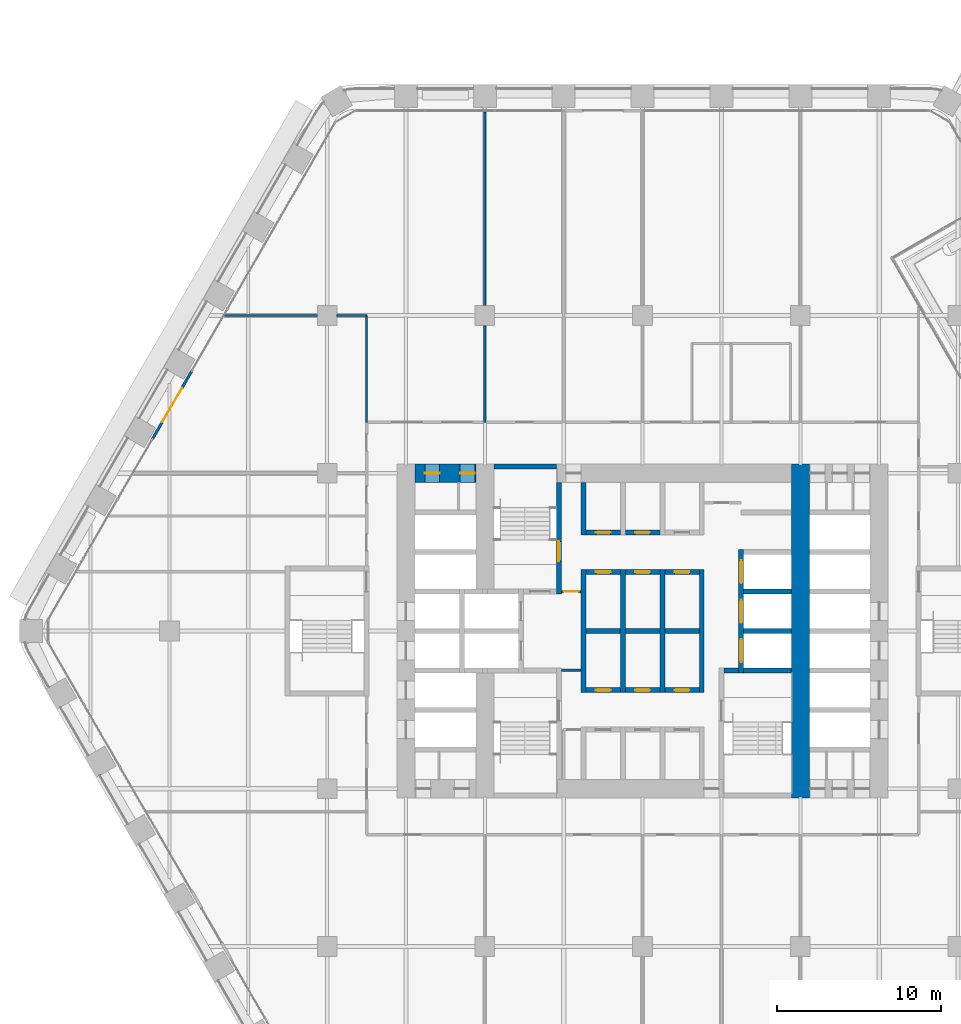
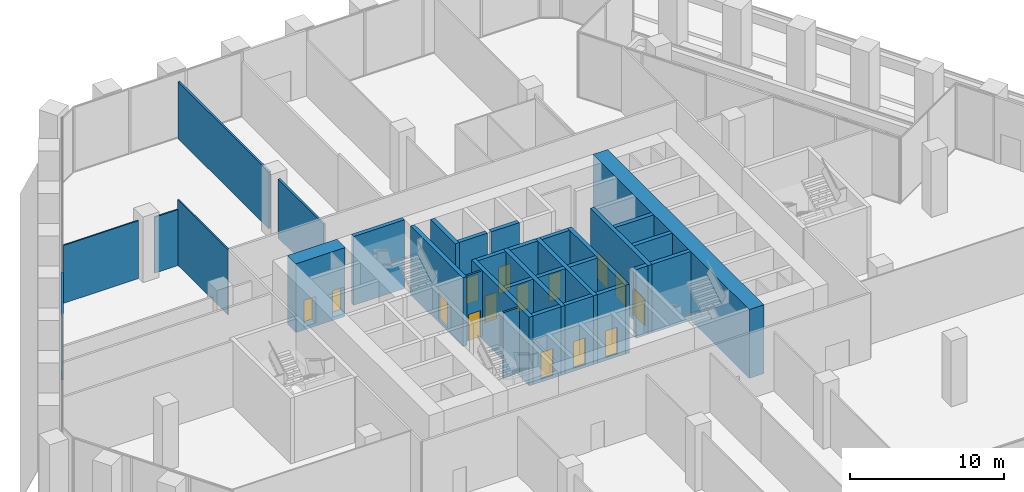
# One storey, part 22 of 32: 33 walls, 16 doors, 16 openings.
"""IFC4 building model written with IfcOpenShell, lengths in metres."""

import ifcopenshell
import ifcopenshell.guid

model = None  # the IFC model being written
_history = None  # IfcOwnerHistory: only IFC2X3 demands one
_inside = {}  # id of a spatial element -> (the spatial element, [elements in it])
_under = {}  # id of a project, library or spatial element -> (it, [spatial elements below it])
_declared = {}  # id of a project -> (the project, [libraries it declares])
_typed = {}  # id of a type object -> (the type object, [elements of that type])
_made_of = {}  # id of a material, layer set ... -> (it, [elements and type objects made of it])


def new_model(schema):
    """Start an empty IFC model of exactly this schema.

    Asked for "IFC4X3", IfcOpenShell would pick the latest addendum, in which some entities
    have other attributes; the version numbers below select the first issue.
    IFC2X3 requires an IfcOwnerHistory on every rooted entity: one is made here for all.
    """
    global model, _history
    if schema == "IFC4X3":
        model = ifcopenshell.file(schema_version=(4, 3, 0, 0))
    else:
        model = ifcopenshell.file(schema=schema)
    _inside.clear()
    _under.clear()
    _declared.clear()
    _typed.clear()
    _made_of.clear()
    _history = None
    if model.schema == "IFC2X3":
        org = make("IfcOrganization", Name="unknown")
        user = make(
            "IfcPersonAndOrganization",
            ThePerson=make("IfcPerson", FamilyName="unknown"),
            TheOrganization=org,
        )
        app = make(
            "IfcApplication",
            ApplicationDeveloper=org,
            Version="unknown",
            ApplicationFullName="unknown",
            ApplicationIdentifier="unknown",
        )
        _history = make(
            "IfcOwnerHistory",
            OwningUser=user,
            OwningApplication=app,
            ChangeAction="ADDED",
            CreationDate=0,
        )
    return model


def make(cls, **values):
    """One entity of the class cls with the attributes given. An attribute that is None is left unset."""
    return model.create_entity(
        cls, **{name: value for name, value in values.items() if value is not None}
    )


def rooted(cls, **values):
    """An entity with a GlobalId (a new one), such as an element, a storey or a relation."""
    return make(cls, GlobalId=ifcopenshell.guid.new(), OwnerHistory=_history, **values)


def si_unit(unit_type, name, prefix=None):
    """IfcSIUnit, for example si_unit("LENGTHUNIT", "METRE", prefix="MILLI")."""
    return make("IfcSIUnit", UnitType=unit_type, Prefix=prefix, Name=name)


def assignment(units):
    """IfcUnitAssignment: the units of a project."""
    return None if units is None else make("IfcUnitAssignment", Units=units)


def point(xyz):
    """IfcCartesianPoint."""
    return None if xyz is None else make("IfcCartesianPoint", Coordinates=xyz)


def direction(xyz):
    """IfcDirection."""
    return None if xyz is None else make("IfcDirection", DirectionRatios=xyz)


def frame(location, z_axis=None, x_axis=None):
    """IfcAxis2Placement3D, a coordinate frame: its origin and axes. An axis left out is left unset."""
    return make(
        "IfcAxis2Placement3D",
        Location=point(location),
        Axis=direction(z_axis),
        RefDirection=direction(x_axis),
    )


def frame_2d(location, x_axis=None):
    """IfcAxis2Placement2D, a coordinate frame in the plane: its origin and x axis."""
    return make(
        "IfcAxis2Placement2D", Location=point(location), RefDirection=direction(x_axis)
    )


def origin():
    """The frame at (0, 0, 0) with its axes left unset."""
    return frame((0.0, 0.0, 0.0))


def place(relative_to, where):
    """IfcLocalPlacement: puts the frame where relative to a parent placement (None: the world)."""
    return make(
        "IfcLocalPlacement", PlacementRelTo=relative_to, RelativePlacement=where
    )


def context(
    kind, dimensions, precision=None, world=None, true_north=None, identifier=None
):
    """IfcGeometricRepresentationContext, for example the 3D "Model" context."""
    return make(
        "IfcGeometricRepresentationContext",
        ContextIdentifier=identifier,
        ContextType=kind,
        CoordinateSpaceDimension=dimensions,
        Precision=precision,
        WorldCoordinateSystem=world,
        TrueNorth=true_north,
    )


def subcontext(parent, identifier, kind, view, scale=None):
    """IfcGeometricRepresentationSubContext, for example "Body" below "Model"."""
    return make(
        "IfcGeometricRepresentationSubContext",
        ContextIdentifier=identifier,
        ContextType=kind,
        ParentContext=parent,
        TargetScale=scale,
        TargetView=view,
    )


def project(units=None, contexts=None):
    """IfcProject with its units and contexts."""
    return rooted(
        "IfcProject",
        Name="project",
        RepresentationContexts=contexts,
        UnitsInContext=assignment(units),
    )


def spatial(cls, under=None, at=None, **own):
    """A site, building, storey or space (cls), placed at a placement, below another one or the project."""
    s = rooted(cls, ObjectPlacement=at, **own)
    if under is not None:
        _under.setdefault(under.id(), (under, []))[1].append(s)
    return s


def profile(cls, at=None, kind="AREA", **sizes):
    """A parametric profile (cls). Its sizes go by their IFC names, for example OverallWidth=200.0."""
    return make(cls, ProfileType=kind, Position=at, **sizes)


def rectangle(**sizes):
    """IfcRectangleProfileDef."""
    return profile("IfcRectangleProfileDef", **sizes)


def extrude(swept, where, along, depth):
    """IfcExtrudedAreaSolid: the profile swept, set in the frame where, extruded along a direction by depth."""
    return make(
        "IfcExtrudedAreaSolid",
        SweptArea=swept,
        Position=where,
        ExtrudedDirection=direction(along),
        Depth=depth,
    )


def shape(context_of_items, identifier, shape_type, items):
    """IfcShapeRepresentation: the items that make up one representation, for example the "Body"."""
    return make(
        "IfcShapeRepresentation",
        ContextOfItems=context_of_items,
        RepresentationIdentifier=identifier,
        RepresentationType=shape_type,
        Items=items,
    )


def material(Name=None, Category=None):
    """IfcMaterial."""
    return make("IfcMaterial", Name=Name, Category=Category)


def layer(
    of_material, thickness, ventilated=None, Name=None, Category=None, Priority=None
):
    """IfcMaterialLayer: one layer of a wall or slab, of a material (None: an air gap)."""
    return make(
        "IfcMaterialLayer",
        Material=of_material,
        LayerThickness=thickness,
        IsVentilated=ventilated,
        Name=Name,
        Category=Category,
        Priority=Priority,
    )


def layer_set(layers, Name=None):
    """IfcMaterialLayerSet."""
    return make("IfcMaterialLayerSet", MaterialLayers=layers, LayerSetName=Name)


def made_of(thing, what):
    """Note that an element or type object is made of a material, layer set ...; save() writes the relation."""
    if what is not None:
        _made_of.setdefault(what.id(), (what, []))[1].append(thing)
    return thing


def type_object(cls, material=None, **own):
    """A type object (cls), such as IfcWallType, which elements share."""
    return made_of(rooted(cls, **own), material)


def element(
    cls,
    number,
    at=None,
    inside=None,
    cuts=None,
    type_object=None,
    material=None,
    context=None,
    identifier="Body",
    shape_type=None,
    held_by="IfcProductDefinitionShape",
    body=None,
    shapes=None,
    **own,
):
    """One element of the class cls, such as IfcWall. Its Tag is "e" and its number.

    at: its placement. inside: the storey or other place that contains it. cuts: it is an
    opening in that element (IfcRelVoidsElement). A single representation is given by context,
    identifier, shape_type and body (its items); several are given by shapes. held_by: the class
    of the entity that holds the representations. save() writes the other relations.
    """
    e = rooted(cls, Tag="e%d" % number, ObjectPlacement=at, **own)
    if body is not None:
        shapes = [shape(context, identifier, shape_type, body)]
    if shapes is not None:
        e.Representation = make(held_by, Representations=shapes)
    if inside is not None:
        _inside.setdefault(inside.id(), (inside, []))[1].append(e)
    if cuts is not None:
        rooted(
            "IfcRelVoidsElement", RelatingBuildingElement=cuts, RelatedOpeningElement=e
        )
    if type_object is not None:
        _typed.setdefault(type_object.id(), (type_object, []))[1].append(e)
    return made_of(e, material)


def fill(opening, filler):
    """IfcRelFillsElement: the door or window that sits in an opening."""
    return rooted(
        "IfcRelFillsElement",
        RelatingOpeningElement=opening,
        RelatedBuildingElement=filler,
    )


def aggregate(whole, parts):
    """IfcRelAggregates: a whole, such as a stair, and the parts it consists of."""
    return rooted("IfcRelAggregates", RelatingObject=whole, RelatedObjects=parts)


def save(model, path):
    """Write the relations noted so far, then the file.

    IfcRelAggregates (storeys below a building ...), IfcRelContainedInSpatialStructure (elements
    in a storey), IfcRelDefinesByType, IfcRelAssociatesMaterial and IfcRelDeclares: one each for
    every whole, place, type object, material and project.
    """
    for whole, parts in _under.values():
        aggregate(whole, parts)
    for where, things in _inside.values():
        rooted(
            "IfcRelContainedInSpatialStructure",
            RelatedElements=things,
            RelatingStructure=where,
        )
    for kind, things in _typed.values():
        rooted("IfcRelDefinesByType", RelatedObjects=things, RelatingType=kind)
    for what, things in _made_of.values():
        rooted("IfcRelAssociatesMaterial", RelatedObjects=things, RelatingMaterial=what)
    for by, libraries in _declared.values():
        rooted("IfcRelDeclares", RelatingContext=by, RelatedDefinitions=libraries)
    model.write(path)


model = new_model("IFC4")

# Units and contexts
model_context = context("Model", 3, precision=1e-05, world=origin(), true_north=direction((0.0, 1.0)))
body_context = subcontext(model_context, "Body", "Model", "MODEL_VIEW")
ifc_project = project(units=[si_unit("LENGTHUNIT", "METRE"), si_unit("AREAUNIT", "SQUARE_METRE"), si_unit("VOLUMEUNIT", "CUBIC_METRE"), si_unit("PLANEANGLEUNIT", "RADIAN"), si_unit("MASSUNIT", "GRAM", prefix="KILO")], contexts=[model_context])

# Site, building, storey
site_placement = place(None, origin())
site = spatial("IfcSite", under=ifc_project, at=site_placement, CompositionType="ELEMENT")
building_placement = place(site_placement, origin())
building = spatial("IfcBuilding", under=site, at=building_placement, Name="Kolab Exchange Tower", CompositionType="ELEMENT")
storey_placement = place(building_placement, frame((0.0, 0.0, 60.89990234375)))
storey = spatial("IfcBuildingStorey", under=building, at=storey_placement, Name="L11", CompositionType="ELEMENT", Elevation=60.89990234375)

# Wall, openings, doors
ifc_material_1 = material(Name="Concrete C80/95", Category="concrete")
ifc_layer_1 = layer(ifc_material_1, 1.10009765625)
ifc_layer_set_1 = layer_set([ifc_layer_1], Name="Concrete C80/95")
wall_type_1 = type_object("IfcWallType", Name="CORE WALL 1100 C80/95", PredefinedType="SHEAR", material=ifc_layer_set_1)
wall_1_placement = place(storey_placement, frame((-13.85009765625, 9.60009765625, -0.25), z_axis=(0.0, 0.0, 1.0), x_axis=(1.0, 0.0, 0.0)))
wall_1 = element("IfcWall", 1, at=wall_1_placement, inside=storey, type_object=wall_type_1, Name="wall/L11/core/051", PredefinedType="SHEAR", context=body_context, shape_type="SweptSolid", body=[
    extrude(rectangle(XDim=3.7001953125, YDim=1.10009765625, at=frame_2d((1.85009765625, 0.0))), origin(), (0.0, 0.0, 1.0), 5.4501953125),
])
opening_1_placement = place(wall_1_placement, frame((0.60009765625, 0.0, 0.25)))
opening_1 = element("IfcOpeningElement", 2, at=opening_1_placement, cuts=wall_1, Name="Opening D6-136", PredefinedType="OPENING", context=body_context, shape_type="SweptSolid", body=[
    extrude(rectangle(XDim=0.89990234375, YDim=2.10009765625, at=frame_2d((0.449951171875, 1.050048828125))), frame((0.0, 0.56005859375, 0.0), z_axis=(0.0, -1.0, 0.0), x_axis=(1.0, 0.0, 0.0)), (0.0, 0.0, 1.0), 1.1201171875),
])
opening_2_placement = place(wall_1_placement, frame((2.75, 0.0, 0.25)))
opening_2 = element("IfcOpeningElement", 3, at=opening_2_placement, cuts=wall_1, Name="Opening D6-137", PredefinedType="OPENING", context=body_context, shape_type="SweptSolid", body=[
    extrude(rectangle(XDim=0.89990234375, YDim=2.10009765625, at=frame_2d((0.449951171875, 1.050048828125))), frame((0.0, 0.56005859375, 0.0), z_axis=(0.0, -1.0, 0.0), x_axis=(1.0, 0.0, 0.0)), (0.0, 0.0, 1.0), 1.1201171875),
])
ifc_material_2 = material(Name="Steel S235", Category="steel")
door_type_1 = type_object("IfcDoorType", Name="CORE DOOR 900 EI 120", OperationType="SINGLE_SWING_LEFT", PredefinedType="DOOR", material=ifc_material_2)
door_1_placement = place(opening_1_placement, frame((0.89990234375, 0.0, 0.0), z_axis=(0.0, 0.0, 1.0), x_axis=(-1.0, 0.0, 0.0)))
door_1 = element("IfcDoor", 4, at=door_1_placement, inside=storey, type_object=door_type_1, Name="Service room door", OperationType="SINGLE_SWING_RIGHT", OverallHeight=2.10009765625, OverallWidth=0.89990234375, PredefinedType="DOOR", context=body_context, shape_type="SweptSolid", body=[
    extrude(rectangle(XDim=0.89990234375, YDim=2.10009765625, at=frame_2d((0.449951171875, 1.050048828125))), frame((0.0, 0.02490234375, 0.0), z_axis=(0.0, -1.0, 0.0), x_axis=(1.0, 0.0, 0.0)), (0.0, 0.0, 1.0), 0.050048828125),
])
fill(opening_1, door_1)
door_2_placement = place(opening_2_placement, frame((0.89990234375, 0.0, 0.0), z_axis=(0.0, 0.0, 1.0), x_axis=(-1.0, 0.0, 0.0)))
door_2 = element("IfcDoor", 5, at=door_2_placement, inside=storey, type_object=door_type_1, Name="Service room door", OperationType="SINGLE_SWING_LEFT", OverallHeight=2.10009765625, OverallWidth=0.89990234375, PredefinedType="DOOR", context=body_context, shape_type="SweptSolid", body=[
    extrude(rectangle(XDim=0.89990234375, YDim=2.10009765625, at=frame_2d((0.449951171875, 1.050048828125))), frame((0.0, 0.02490234375, 0.0), z_axis=(0.0, -1.0, 0.0), x_axis=(1.0, 0.0, 0.0)), (0.0, 0.0, 1.0), 0.050048828125),
])
fill(opening_2, door_2)

# Wall
wall_2_placement = place(storey_placement, frame((9.60009765625, -10.14990234375, -0.25), z_axis=(0.0, 0.0, 1.0), x_axis=(0.0, 1.0, 0.0)))
element("IfcWall", 6, at=wall_2_placement, inside=storey, type_object=wall_type_1, Name="wall/L11/core/080", PredefinedType="SHEAR", context=body_context, shape_type="SweptSolid", body=[
    extrude(rectangle(XDim=20.2998046875, YDim=1.10009765625, at=frame_2d((10.14990234375, 0.0))), origin(), (0.0, 0.0, 1.0), 5.4501953125),
])

# Wall, opening, door
ifc_material_3 = material(Name="Aluminium EN AW-6063 T6", Category="aluminium")
ifc_layer_2 = layer(ifc_material_3, 0.159912109375)
ifc_layer_set_2 = layer_set([ifc_layer_2], Name="Aluminium EN AW-6063 T6")
wall_type_2 = type_object("IfcWallType", Name="DOOR SURROUND WALL 160 ALUMINIUM FRAMED", PredefinedType="PARTITIONING", material=ifc_layer_set_2)
wall_3_placement = place(storey_placement, frame((-29.816650390625, 11.706787109375, 0.0), z_axis=(0.0, 0.0, 1.0), x_axis=(0.499978080042, 0.866038058908, 0.0)))
wall_3 = element("IfcWall", 7, at=wall_3_placement, inside=storey, type_object=wall_type_2, Name="Door surround wall", PredefinedType="PARTITIONING", context=body_context, shape_type="SweptSolid", body=[
    extrude(rectangle(XDim=4.739990234375, YDim=0.159912109375, at=frame_2d((2.3701171875, 0.0))), origin(), (0.0, 0.0, 1.0), 5.2001953125),
])
opening_3_placement = place(wall_3_placement, frame((1.169921875, 0.0, 0.0)))
opening_3 = element("IfcOpeningElement", 8, at=opening_3_placement, cuts=wall_3, Name="Opening GD1-028", PredefinedType="OPENING", context=body_context, shape_type="SweptSolid", body=[
    extrude(rectangle(XDim=2.39990234375, YDim=2.39990234375, at=frame_2d((1.199951171875, 1.199951171875))), frame((0.0, 0.08984375, 0.0), z_axis=(0.0, -1.0, 0.0), x_axis=(1.0, 0.0, 0.0)), (0.0, 0.0, 1.0), 0.179931640625),
])
door_type_2 = type_object("IfcDoorType", Name="LOGGIA SLIDING GLASS DOOR 2400 X 2400", OperationType="DOUBLE_DOOR_SINGLE_SWING", PredefinedType="DOOR", material=ifc_material_3)
door_3_placement = place(opening_3_placement, origin())
door_3 = element("IfcDoor", 9, at=door_3_placement, inside=storey, type_object=door_type_2, Name="Loggia door", OperationType="DOUBLE_DOOR_SLIDING", OverallHeight=2.39990234375, OverallWidth=2.39990234375, PredefinedType="DOOR", context=body_context, shape_type="SweptSolid", body=[
    extrude(rectangle(XDim=2.39990234375, YDim=2.39990234375, at=frame_2d((1.199951171875, 1.199951171875))), frame((0.0, 0.02490234375, 0.0), z_axis=(0.0, -1.0, 0.0), x_axis=(1.0, 0.0, 0.0)), (0.0, 0.0, 1.0), 0.050048828125),
])
fill(opening_3, door_3)

ifc_material_4 = material(Name="Concrete C50/60", Category="concrete")
ifc_layer_3 = layer(ifc_material_4, 0.300048828125)
ifc_layer_set_3 = layer_set([ifc_layer_3], Name="Concrete C50/60")
wall_type_3 = type_object("IfcWallType", Name="LIFT SHAFT WALL 300 C50/60", PredefinedType="STANDARD", material=ifc_layer_set_3)
wall_4_placement = place(storey_placement, frame((-3.449951171875, -3.60009765625, -0.25), z_axis=(0.0, 0.0, 1.0), x_axis=(1.0, 0.0, 0.0)))
wall_4 = element("IfcWall", 10, at=wall_4_placement, inside=storey, type_object=wall_type_3, Name="wall/L11/core/014", PredefinedType="STANDARD", context=body_context, shape_type="SweptSolid", body=[
    extrude(rectangle(XDim=2.099853515625, YDim=0.300048828125, at=frame_2d((1.0498046875, 0.0))), origin(), (0.0, 0.0, 1.0), 5.4501953125),
])
opening_4_placement = place(wall_4_placement, frame((0.60009765625, 0.0, 0.25)))
opening_4 = element("IfcOpeningElement", 11, at=opening_4_placement, cuts=wall_4, Name="Opening D6-129", PredefinedType="OPENING", context=body_context, shape_type="SweptSolid", body=[
    extrude(rectangle(XDim=0.89990234375, YDim=2.10009765625, at=frame_2d((0.449951171875, 1.050048828125))), frame((0.0, 0.16015625, 0.0), z_axis=(0.0, -1.0, 0.0), x_axis=(1.0, 0.0, 0.0)), (0.0, 0.0, 1.0), 0.320068359375),
])
door_4_placement = place(opening_4_placement, origin())
door_4 = element("IfcDoor", 12, at=door_4_placement, inside=storey, type_object=door_type_1, Name="Service room door", OperationType="SINGLE_SWING_LEFT", OverallHeight=2.10009765625, OverallWidth=0.89990234375, PredefinedType="DOOR", context=body_context, shape_type="SweptSolid", body=[
    extrude(rectangle(XDim=0.89990234375, YDim=2.10009765625, at=frame_2d((0.449951171875, 1.050048828125))), frame((0.0, 0.02490234375, 0.0), z_axis=(0.0, -1.0, 0.0), x_axis=(1.0, 0.0, 0.0)), (0.0, 0.0, 1.0), 0.050048828125),
])
fill(opening_4, door_4)

wall_5_placement = place(storey_placement, frame((-1.050048828125, -3.60009765625, -0.25), z_axis=(0.0, 0.0, 1.0), x_axis=(1.0, 0.0, 0.0)))
wall_5 = element("IfcWall", 13, at=wall_5_placement, inside=storey, type_object=wall_type_3, Name="wall/L11/core/015", PredefinedType="STANDARD", context=body_context, shape_type="SweptSolid", body=[
    extrude(rectangle(XDim=2.10009765625, YDim=0.300048828125, at=frame_2d((1.050048828125, 0.0))), origin(), (0.0, 0.0, 1.0), 5.4501953125),
])
opening_5_placement = place(wall_5_placement, frame((0.60009765625, 0.0, 0.25)))
opening_5 = element("IfcOpeningElement", 14, at=opening_5_placement, cuts=wall_5, Name="Opening D6-128", PredefinedType="OPENING", context=body_context, shape_type="SweptSolid", body=[
    extrude(rectangle(XDim=0.89990234375, YDim=2.10009765625, at=frame_2d((0.449951171875, 1.050048828125))), frame((0.0, 0.16015625, 0.0), z_axis=(0.0, -1.0, 0.0), x_axis=(1.0, 0.0, 0.0)), (0.0, 0.0, 1.0), 0.320068359375),
])
door_5_placement = place(opening_5_placement, origin())
door_5 = element("IfcDoor", 15, at=door_5_placement, inside=storey, type_object=door_type_1, Name="Service room door", OperationType="SINGLE_SWING_LEFT", OverallHeight=2.10009765625, OverallWidth=0.89990234375, PredefinedType="DOOR", context=body_context, shape_type="SweptSolid", body=[
    extrude(rectangle(XDim=0.89990234375, YDim=2.10009765625, at=frame_2d((0.449951171875, 1.050048828125))), frame((0.0, 0.02490234375, 0.0), z_axis=(0.0, -1.0, 0.0), x_axis=(1.0, 0.0, 0.0)), (0.0, 0.0, 1.0), 0.050048828125),
])
fill(opening_5, door_5)

wall_6_placement = place(storey_placement, frame((1.35009765625, -3.60009765625, -0.25), z_axis=(0.0, 0.0, 1.0), x_axis=(1.0, 0.0, 0.0)))
wall_6 = element("IfcWall", 16, at=wall_6_placement, inside=storey, type_object=wall_type_3, Name="wall/L11/core/016", PredefinedType="STANDARD", context=body_context, shape_type="SweptSolid", body=[
    extrude(rectangle(XDim=2.099853515625, YDim=0.300048828125, at=frame_2d((1.0498046875, 0.0))), origin(), (0.0, 0.0, 1.0), 5.4501953125),
])
opening_6_placement = place(wall_6_placement, frame((0.60009765625, 0.0, 0.25)))
opening_6 = element("IfcOpeningElement", 17, at=opening_6_placement, cuts=wall_6, Name="Opening D6-127", PredefinedType="OPENING", context=body_context, shape_type="SweptSolid", body=[
    extrude(rectangle(XDim=0.89990234375, YDim=2.10009765625, at=frame_2d((0.449951171875, 1.050048828125))), frame((0.0, 0.16015625, 0.0), z_axis=(0.0, -1.0, 0.0), x_axis=(1.0, 0.0, 0.0)), (0.0, 0.0, 1.0), 0.320068359375),
])
door_6_placement = place(opening_6_placement, origin())
door_6 = element("IfcDoor", 18, at=door_6_placement, inside=storey, type_object=door_type_1, Name="Service room door", OperationType="SINGLE_SWING_RIGHT", OverallHeight=2.10009765625, OverallWidth=0.89990234375, PredefinedType="DOOR", context=body_context, shape_type="SweptSolid", body=[
    extrude(rectangle(XDim=0.89990234375, YDim=2.10009765625, at=frame_2d((0.449951171875, 1.050048828125))), frame((0.0, 0.02490234375, 0.0), z_axis=(0.0, -1.0, 0.0), x_axis=(1.0, 0.0, 0.0)), (0.0, 0.0, 1.0), 0.050048828125),
])
fill(opening_6, door_6)

# Walls
wall_7_placement = place(storey_placement, frame((-3.449951171875, 0.0, -0.25), z_axis=(0.0, 0.0, 1.0), x_axis=(1.0, 0.0, 0.0)))
element("IfcWall", 19, at=wall_7_placement, inside=storey, type_object=wall_type_3, Name="wall/L11/core/026", PredefinedType="STANDARD", context=body_context, shape_type="SweptSolid", body=[
    extrude(rectangle(XDim=2.099853515625, YDim=0.300048828125, at=frame_2d((1.0498046875, 0.0))), origin(), (0.0, 0.0, 1.0), 5.4501953125),
])
wall_8_placement = place(storey_placement, frame((-1.050048828125, 0.0, -0.25), z_axis=(0.0, 0.0, 1.0), x_axis=(1.0, 0.0, 0.0)))
element("IfcWall", 20, at=wall_8_placement, inside=storey, type_object=wall_type_3, Name="wall/L11/core/027", PredefinedType="STANDARD", context=body_context, shape_type="SweptSolid", body=[
    extrude(rectangle(XDim=2.10009765625, YDim=0.300048828125, at=frame_2d((1.050048828125, 0.0))), origin(), (0.0, 0.0, 1.0), 5.4501953125),
])
wall_9_placement = place(storey_placement, frame((1.35009765625, 0.0, -0.25), z_axis=(0.0, 0.0, 1.0), x_axis=(1.0, 0.0, 0.0)))
element("IfcWall", 21, at=wall_9_placement, inside=storey, type_object=wall_type_3, Name="wall/L11/core/028", PredefinedType="STANDARD", context=body_context, shape_type="SweptSolid", body=[
    extrude(rectangle(XDim=2.099853515625, YDim=0.300048828125, at=frame_2d((1.0498046875, 0.0))), origin(), (0.0, 0.0, 1.0), 5.4501953125),
])
for number, where, z_axis, x_axis, name in (
    (22, (6.14990234375, 0.0, -0.25), (0.0, 0.0, 1.0), (1.0, 0.0, 0.0), "wall/L11/core/029"),
    (23, (6.14990234375, 2.39990234375, -0.25), (0.0, 0.0, 1.0), (1.0, 0.0, 0.0), "wall/L11/core/035"),
):
    element("IfcWall", number, at=place(storey_placement, frame(where, z_axis=z_axis, x_axis=x_axis)), inside=storey, type_object=wall_type_3, Name=name, PredefinedType="STANDARD", context=body_context, shape_type="SweptSolid", body=[
        extrude(rectangle(XDim=2.900146484375, YDim=0.300048828125, at=frame_2d((1.4501953125, 0.0))), origin(), (0.0, 0.0, 1.0), 5.4501953125),
    ])

# Wall, opening, door
wall_10_placement = place(storey_placement, frame((-3.449951171875, 3.60009765625, -0.25), z_axis=(0.0, 0.0, 1.0), x_axis=(1.0, 0.0, 0.0)))
wall_10 = element("IfcWall", 24, at=wall_10_placement, inside=storey, type_object=wall_type_3, Name="wall/L11/core/037", PredefinedType="STANDARD", context=body_context, shape_type="SweptSolid", body=[
    extrude(rectangle(XDim=2.099853515625, YDim=0.300048828125, at=frame_2d((1.0498046875, 0.0))), origin(), (0.0, 0.0, 1.0), 5.4501953125),
])
opening_7_placement = place(wall_10_placement, frame((0.60009765625, 0.0, 0.25)))
opening_7 = element("IfcOpeningElement", 25, at=opening_7_placement, cuts=wall_10, Name="Opening D6-126", PredefinedType="OPENING", context=body_context, shape_type="SweptSolid", body=[
    extrude(rectangle(XDim=0.89990234375, YDim=2.10009765625, at=frame_2d((0.449951171875, 1.050048828125))), frame((0.0, 0.16015625, 0.0), z_axis=(0.0, -1.0, 0.0), x_axis=(1.0, 0.0, 0.0)), (0.0, 0.0, 1.0), 0.320068359375),
])
door_7_placement = place(opening_7_placement, frame((0.89990234375, 0.0, 0.0), z_axis=(0.0, 0.0, 1.0), x_axis=(-1.0, 0.0, 0.0)))
door_7 = element("IfcDoor", 26, at=door_7_placement, inside=storey, type_object=door_type_1, Name="Service room door", OperationType="SINGLE_SWING_LEFT", OverallHeight=2.10009765625, OverallWidth=0.89990234375, PredefinedType="DOOR", context=body_context, shape_type="SweptSolid", body=[
    extrude(rectangle(XDim=0.89990234375, YDim=2.10009765625, at=frame_2d((0.449951171875, 1.050048828125))), frame((0.0, 0.02490234375, 0.0), z_axis=(0.0, -1.0, 0.0), x_axis=(1.0, 0.0, 0.0)), (0.0, 0.0, 1.0), 0.050048828125),
])
fill(opening_7, door_7)

wall_11_placement = place(storey_placement, frame((-1.050048828125, 3.60009765625, -0.25), z_axis=(0.0, 0.0, 1.0), x_axis=(1.0, 0.0, 0.0)))
wall_11 = element("IfcWall", 27, at=wall_11_placement, inside=storey, type_object=wall_type_3, Name="wall/L11/core/038", PredefinedType="STANDARD", context=body_context, shape_type="SweptSolid", body=[
    extrude(rectangle(XDim=2.10009765625, YDim=0.300048828125, at=frame_2d((1.050048828125, 0.0))), origin(), (0.0, 0.0, 1.0), 5.4501953125),
])
opening_8_placement = place(wall_11_placement, frame((0.60009765625, 0.0, 0.25)))
opening_8 = element("IfcOpeningElement", 28, at=opening_8_placement, cuts=wall_11, Name="Opening D6-125", PredefinedType="OPENING", context=body_context, shape_type="SweptSolid", body=[
    extrude(rectangle(XDim=0.89990234375, YDim=2.10009765625, at=frame_2d((0.449951171875, 1.050048828125))), frame((0.0, 0.16015625, 0.0), z_axis=(0.0, -1.0, 0.0), x_axis=(1.0, 0.0, 0.0)), (0.0, 0.0, 1.0), 0.320068359375),
])
door_8_placement = place(opening_8_placement, frame((0.89990234375, 0.0, 0.0), z_axis=(0.0, 0.0, 1.0), x_axis=(-1.0, 0.0, 0.0)))
door_8 = element("IfcDoor", 29, at=door_8_placement, inside=storey, type_object=door_type_1, Name="Service room door", OperationType="SINGLE_SWING_LEFT", OverallHeight=2.10009765625, OverallWidth=0.89990234375, PredefinedType="DOOR", context=body_context, shape_type="SweptSolid", body=[
    extrude(rectangle(XDim=0.89990234375, YDim=2.10009765625, at=frame_2d((0.449951171875, 1.050048828125))), frame((0.0, 0.02490234375, 0.0), z_axis=(0.0, -1.0, 0.0), x_axis=(1.0, 0.0, 0.0)), (0.0, 0.0, 1.0), 0.050048828125),
])
fill(opening_8, door_8)

wall_12_placement = place(storey_placement, frame((1.35009765625, 3.60009765625, -0.25), z_axis=(0.0, 0.0, 1.0), x_axis=(1.0, 0.0, 0.0)))
wall_12 = element("IfcWall", 30, at=wall_12_placement, inside=storey, type_object=wall_type_3, Name="wall/L11/core/039", PredefinedType="STANDARD", context=body_context, shape_type="SweptSolid", body=[
    extrude(rectangle(XDim=2.099853515625, YDim=0.300048828125, at=frame_2d((1.0498046875, 0.0))), origin(), (0.0, 0.0, 1.0), 5.4501953125),
])
opening_9_placement = place(wall_12_placement, frame((0.60009765625, 0.0, 0.25)))
opening_9 = element("IfcOpeningElement", 31, at=opening_9_placement, cuts=wall_12, Name="Opening D6-124", PredefinedType="OPENING", context=body_context, shape_type="SweptSolid", body=[
    extrude(rectangle(XDim=0.89990234375, YDim=2.10009765625, at=frame_2d((0.449951171875, 1.050048828125))), frame((0.0, 0.16015625, 0.0), z_axis=(0.0, -1.0, 0.0), x_axis=(1.0, 0.0, 0.0)), (0.0, 0.0, 1.0), 0.320068359375),
])
door_9_placement = place(opening_9_placement, frame((0.89990234375, 0.0, 0.0), z_axis=(0.0, 0.0, 1.0), x_axis=(-1.0, 0.0, 0.0)))
door_9 = element("IfcDoor", 32, at=door_9_placement, inside=storey, type_object=door_type_1, Name="Service room door", OperationType="SINGLE_SWING_RIGHT", OverallHeight=2.10009765625, OverallWidth=0.89990234375, PredefinedType="DOOR", context=body_context, shape_type="SweptSolid", body=[
    extrude(rectangle(XDim=0.89990234375, YDim=2.10009765625, at=frame_2d((0.449951171875, 1.050048828125))), frame((0.0, 0.02490234375, 0.0), z_axis=(0.0, -1.0, 0.0), x_axis=(1.0, 0.0, 0.0)), (0.0, 0.0, 1.0), 0.050048828125),
])
fill(opening_9, door_9)

wall_13_placement = place(storey_placement, frame((-3.449951171875, 6.0, -0.25), z_axis=(0.0, 0.0, 1.0), x_axis=(1.0, 0.0, 0.0)))
wall_13 = element("IfcWall", 33, at=wall_13_placement, inside=storey, type_object=wall_type_3, Name="wall/L11/core/045", PredefinedType="STANDARD", context=body_context, shape_type="SweptSolid", body=[
    extrude(rectangle(XDim=2.099853515625, YDim=0.300048828125, at=frame_2d((1.0498046875, 0.0))), origin(), (0.0, 0.0, 1.0), 5.4501953125),
])
opening_10_placement = place(wall_13_placement, frame((0.60009765625, 0.0, 0.25)))
opening_10 = element("IfcOpeningElement", 34, at=opening_10_placement, cuts=wall_13, Name="Opening D6-123", PredefinedType="OPENING", context=body_context, shape_type="SweptSolid", body=[
    extrude(rectangle(XDim=0.89990234375, YDim=2.10009765625, at=frame_2d((0.449951171875, 1.050048828125))), frame((0.0, 0.16015625, 0.0), z_axis=(0.0, -1.0, 0.0), x_axis=(1.0, 0.0, 0.0)), (0.0, 0.0, 1.0), 0.320068359375),
])
door_10_placement = place(opening_10_placement, origin())
door_10 = element("IfcDoor", 35, at=door_10_placement, inside=storey, type_object=door_type_1, Name="Service room door", OperationType="SINGLE_SWING_LEFT", OverallHeight=2.10009765625, OverallWidth=0.89990234375, PredefinedType="DOOR", context=body_context, shape_type="SweptSolid", body=[
    extrude(rectangle(XDim=0.89990234375, YDim=2.10009765625, at=frame_2d((0.449951171875, 1.050048828125))), frame((0.0, 0.02490234375, 0.0), z_axis=(0.0, -1.0, 0.0), x_axis=(1.0, 0.0, 0.0)), (0.0, 0.0, 1.0), 0.050048828125),
])
fill(opening_10, door_10)

wall_14_placement = place(storey_placement, frame((-1.050048828125, 6.0, -0.25), z_axis=(0.0, 0.0, 1.0), x_axis=(1.0, 0.0, 0.0)))
wall_14 = element("IfcWall", 36, at=wall_14_placement, inside=storey, type_object=wall_type_3, Name="wall/L11/core/046", PredefinedType="STANDARD", context=body_context, shape_type="SweptSolid", body=[
    extrude(rectangle(XDim=2.10009765625, YDim=0.300048828125, at=frame_2d((1.050048828125, 0.0))), origin(), (0.0, 0.0, 1.0), 5.4501953125),
])
opening_11_placement = place(wall_14_placement, frame((0.60009765625, 0.0, 0.25)))
opening_11 = element("IfcOpeningElement", 37, at=opening_11_placement, cuts=wall_14, Name="Opening D6-122", PredefinedType="OPENING", context=body_context, shape_type="SweptSolid", body=[
    extrude(rectangle(XDim=0.89990234375, YDim=2.10009765625, at=frame_2d((0.449951171875, 1.050048828125))), frame((0.0, 0.16015625, 0.0), z_axis=(0.0, -1.0, 0.0), x_axis=(1.0, 0.0, 0.0)), (0.0, 0.0, 1.0), 0.320068359375),
])
door_11_placement = place(opening_11_placement, origin())
door_11 = element("IfcDoor", 38, at=door_11_placement, inside=storey, type_object=door_type_1, Name="Service room door", OperationType="SINGLE_SWING_LEFT", OverallHeight=2.10009765625, OverallWidth=0.89990234375, PredefinedType="DOOR", context=body_context, shape_type="SweptSolid", body=[
    extrude(rectangle(XDim=0.89990234375, YDim=2.10009765625, at=frame_2d((0.449951171875, 1.050048828125))), frame((0.0, 0.02490234375, 0.0), z_axis=(0.0, -1.0, 0.0), x_axis=(1.0, 0.0, 0.0)), (0.0, 0.0, 1.0), 0.050048828125),
])
fill(opening_11, door_11)

# Walls
wall_15_placement = place(storey_placement, frame((-3.60009765625, -3.75, -0.25), z_axis=(0.0, 0.0, 1.0), x_axis=(0.0, 1.0, 0.0)))
element("IfcWall", 39, at=wall_15_placement, inside=storey, type_object=wall_type_3, Name="wall/L11/core/067", PredefinedType="STANDARD", context=body_context, shape_type="SweptSolid", body=[
    extrude(rectangle(XDim=7.5, YDim=0.300048828125, at=frame_2d((3.75, 0.0))), origin(), (0.0, 0.0, 1.0), 5.4501953125),
])
wall_16_placement = place(storey_placement, frame((-3.60009765625, 5.85009765625, -0.25), z_axis=(0.0, 0.0, 1.0), x_axis=(0.0, 1.0, 0.0)))
element("IfcWall", 40, at=wall_16_placement, inside=storey, type_object=wall_type_3, Name="wall/L11/core/068", PredefinedType="STANDARD", context=body_context, shape_type="SweptSolid", body=[
    extrude(rectangle(XDim=3.199951171875, YDim=0.300048828125, at=frame_2d((1.60009765625, 0.0))), origin(), (0.0, 0.0, 1.0), 5.4501953125),
])
for number, where, z_axis, x_axis, name in (
    (41, (-1.199951171875, -3.75, -0.25), (0.0, 0.0, 1.0), (0.0, 1.0, 0.0), "wall/L11/core/070"),
    (42, (1.199951171875, -3.75, -0.25), (0.0, 0.0, 1.0), (0.0, 1.0, 0.0), "wall/L11/core/073"),
    (43, (3.60009765625, -3.75, -0.25), (0.0, 0.0, 1.0), (0.0, 1.0, 0.0), "wall/L11/core/076"),
):
    element("IfcWall", number, at=place(storey_placement, frame(where, z_axis=z_axis, x_axis=x_axis)), inside=storey, type_object=wall_type_3, Name=name, PredefinedType="STANDARD", context=body_context, shape_type="SweptSolid", body=[
        extrude(rectangle(XDim=7.5, YDim=0.300048828125, at=frame_2d((3.75, 0.0))), origin(), (0.0, 0.0, 1.0), 5.4501953125),
    ])

# Wall, openings, doors
wall_17_placement = place(storey_placement, frame((6.0, -2.550048828125, -0.25), z_axis=(0.0, 0.0, 1.0), x_axis=(0.0, 1.0, 0.0)))
wall_17 = element("IfcWall", 44, at=wall_17_placement, inside=storey, type_object=wall_type_3, Name="wall/L11/core/079", PredefinedType="STANDARD", context=body_context, shape_type="SweptSolid", body=[
    extrude(rectangle(XDim=7.5, YDim=0.300048828125, at=frame_2d((3.75, 0.0))), origin(), (0.0, 0.0, 1.0), 5.4501953125),
])
opening_12_placement = place(wall_17_placement, frame((0.64990234375, 0.0, 0.25)))
opening_12 = element("IfcOpeningElement", 45, at=opening_12_placement, cuts=wall_17, Name="Opening LD3-016", PredefinedType="OPENING", context=body_context, shape_type="SweptSolid", body=[
    extrude(rectangle(XDim=1.39990234375, YDim=2.10009765625, at=frame_2d((0.699951171875, 1.050048828125))), frame((0.0, 0.16015625, 0.0), z_axis=(0.0, -1.0, 0.0), x_axis=(1.0, 0.0, 0.0)), (0.0, 0.0, 1.0), 0.320068359375),
])
opening_13_placement = place(wall_17_placement, frame((3.050048828125, 0.0, 0.25)))
opening_13 = element("IfcOpeningElement", 46, at=opening_13_placement, cuts=wall_17, Name="Opening LD3-017", PredefinedType="OPENING", context=body_context, shape_type="SweptSolid", body=[
    extrude(rectangle(XDim=1.39990234375, YDim=2.10009765625, at=frame_2d((0.699951171875, 1.050048828125))), frame((0.0, 0.16015625, 0.0), z_axis=(0.0, -1.0, 0.0), x_axis=(1.0, 0.0, 0.0)), (0.0, 0.0, 1.0), 0.320068359375),
])
opening_14_placement = place(wall_17_placement, frame((5.449951171875, 0.0, 0.25)))
opening_14 = element("IfcOpeningElement", 47, at=opening_14_placement, cuts=wall_17, Name="Opening LD3-018", PredefinedType="OPENING", context=body_context, shape_type="SweptSolid", body=[
    extrude(rectangle(XDim=1.39990234375, YDim=2.10009765625, at=frame_2d((0.699951171875, 1.050048828125))), frame((0.0, 0.16015625, 0.0), z_axis=(0.0, -1.0, 0.0), x_axis=(1.0, 0.0, 0.0)), (0.0, 0.0, 1.0), 0.320068359375),
])
ifc_material_5 = material(Name="Stainless steel 316", Category="steel")
door_type_3 = type_object("IfcDoorType", Name="LANDING DOOR 1400 SERVICE", OperationType="DOUBLE_DOOR_SLIDING", PredefinedType="DOOR", material=ifc_material_5)
door_12_placement = place(opening_12_placement, origin())
door_12 = element("IfcDoor", 48, at=door_12_placement, inside=storey, type_object=door_type_3, Name="Landing door SV1", OperationType="DOUBLE_DOOR_SLIDING", OverallHeight=2.10009765625, OverallWidth=1.39990234375, PredefinedType="DOOR", context=body_context, shape_type="SweptSolid", body=[
    extrude(rectangle(XDim=1.39990234375, YDim=2.10009765625, at=frame_2d((0.699951171875, 1.050048828125))), frame((0.0, 0.02490234375, 0.0), z_axis=(0.0, -1.0, 0.0), x_axis=(1.0, 0.0, 0.0)), (0.0, 0.0, 1.0), 0.050048828125),
])
fill(opening_12, door_12)
door_13_placement = place(opening_13_placement, origin())
door_13 = element("IfcDoor", 49, at=door_13_placement, inside=storey, type_object=door_type_3, Name="Landing door SV2", OperationType="DOUBLE_DOOR_SLIDING", OverallHeight=2.10009765625, OverallWidth=1.39990234375, PredefinedType="DOOR", context=body_context, shape_type="SweptSolid", body=[
    extrude(rectangle(XDim=1.39990234375, YDim=2.10009765625, at=frame_2d((0.699951171875, 1.050048828125))), frame((0.0, 0.02490234375, 0.0), z_axis=(0.0, -1.0, 0.0), x_axis=(1.0, 0.0, 0.0)), (0.0, 0.0, 1.0), 0.050048828125),
])
fill(opening_13, door_13)
door_14_placement = place(opening_14_placement, origin())
door_14 = element("IfcDoor", 50, at=door_14_placement, inside=storey, type_object=door_type_3, Name="Landing door SV3", OperationType="DOUBLE_DOOR_SLIDING", OverallHeight=2.10009765625, OverallWidth=1.39990234375, PredefinedType="DOOR", context=body_context, shape_type="SweptSolid", body=[
    extrude(rectangle(XDim=1.39990234375, YDim=2.10009765625, at=frame_2d((0.699951171875, 1.050048828125))), frame((0.0, 0.02490234375, 0.0), z_axis=(0.0, -1.0, 0.0), x_axis=(1.0, 0.0, 0.0)), (0.0, 0.0, 1.0), 0.050048828125),
])
fill(opening_14, door_14)

# Walls
ifc_material_6 = material(Name="Gypsum board", Category="gypsum")
ifc_layer_4 = layer(ifc_material_6, 0.10009765625)
ifc_layer_set_4 = layer_set([ifc_layer_4], Name="Gypsum board")
wall_type_4 = type_object("IfcWallType", Name="PARTITION 100", PredefinedType="PARTITIONING", material=ifc_layer_set_4)
wall_18_placement = place(storey_placement, frame((-16.800048828125, 12.699951171875, 0.0), z_axis=(0.0, 0.0, 1.0), x_axis=(0.0, 1.0, 0.0)))
element("IfcWall", 51, at=wall_18_placement, inside=storey, type_object=wall_type_4, Name="Partition 027", PredefinedType="PARTITIONING", context=body_context, shape_type="SweptSolid", body=[
    extrude(rectangle(XDim=6.5, YDim=0.10009765625, at=frame_2d((3.25, 0.0))), origin(), (0.0, 0.0, 1.0), 5.2001953125),
])
wall_19_placement = place(storey_placement, frame((-25.4443359375, 19.199951171875, 0.0), z_axis=(0.0, 0.0, 1.0), x_axis=(1.0, 0.0, 0.0)))
element("IfcWall", 52, at=wall_19_placement, inside=storey, type_object=wall_type_4, Name="Partition 044", PredefinedType="PARTITIONING", context=body_context, shape_type="SweptSolid", body=[
    extrude(rectangle(XDim=5.644287109375, YDim=0.10009765625, at=frame_2d((2.822265625, 0.0))), origin(), (0.0, 0.0, 1.0), 4.592041015625),
])
wall_20_placement = place(storey_placement, frame((-18.60009765625, 19.199951171875, 0.0), z_axis=(0.0, 0.0, 1.0), x_axis=(1.0, 0.0, 0.0)))
element("IfcWall", 53, at=wall_20_placement, inside=storey, type_object=wall_type_4, Name="Partition 045", PredefinedType="PARTITIONING", context=body_context, shape_type="SweptSolid", body=[
    extrude(rectangle(XDim=1.800048828125, YDim=0.10009765625, at=frame_2d((0.89990234375, 0.0))), origin(), (0.0, 0.0, 1.0), 4.43798828125),
])
ifc_layer_5 = layer(ifc_material_6, 0.14990234375)
ifc_layer_set_5 = layer_set([ifc_layer_5], Name="Gypsum board")
wall_type_5 = type_object("IfcWallType", Name="PARTITION 150 FIRE-RATED", PredefinedType="PARTITIONING", material=ifc_layer_set_5)
wall_21_placement = place(storey_placement, frame((-9.60009765625, 12.699951171875, 0.0), z_axis=(0.0, 0.0, 1.0), x_axis=(0.0, 1.0, 0.0)))
element("IfcWall", 54, at=wall_21_placement, inside=storey, type_object=wall_type_5, Name="Partition 023", PredefinedType="PARTITIONING", context=body_context, shape_type="SweptSolid", body=[
    extrude(rectangle(XDim=5.900146484375, YDim=0.14990234375, at=frame_2d((2.9501953125, 0.0))), origin(), (0.0, 0.0, 1.0), 4.6669921875),
])
wall_22_placement = place(storey_placement, frame((-9.60009765625, 19.800048828125, 0.0), z_axis=(0.0, 0.0, 1.0), x_axis=(0.0, 1.0, 0.0)))
element("IfcWall", 55, at=wall_22_placement, inside=storey, type_object=wall_type_5, Name="Partition 024", PredefinedType="PARTITIONING", context=body_context, shape_type="SweptSolid", body=[
    extrude(rectangle(XDim=11.785400390625, YDim=0.14990234375, at=frame_2d((5.892578125, 0.0))), origin(), (0.0, 0.0, 1.0), 4.51611328125),
])

# Wall, opening, door
wall_23_placement = place(storey_placement, frame((-4.949951171875, 2.39990234375, 0.0), z_axis=(0.0, 0.0, 1.0), x_axis=(1.0, 0.0, 0.0)))
wall_23 = element("IfcWall", 56, at=wall_23_placement, inside=storey, type_object=wall_type_5, Name="Fire partition", PredefinedType="PARTITIONING", context=body_context, shape_type="SweptSolid", body=[
    extrude(rectangle(XDim=1.199951171875, YDim=0.14990234375, at=frame_2d((0.60009765625, 0.0))), origin(), (0.0, 0.0, 1.0), 5.2001953125),
])
opening_15_placement = place(wall_23_placement, frame((0.14990234375, 0.0, 0.0)))
opening_15 = element("IfcOpeningElement", 57, at=opening_15_placement, cuts=wall_23, Name="Opening D6-135", PredefinedType="OPENING", context=body_context, shape_type="SweptSolid", body=[
    extrude(rectangle(XDim=0.89990234375, YDim=2.10009765625, at=frame_2d((0.449951171875, 1.050048828125))), frame((0.0, 0.0849609375, 0.0), z_axis=(0.0, -1.0, 0.0), x_axis=(1.0, 0.0, 0.0)), (0.0, 0.0, 1.0), 0.169921875),
])
door_15_placement = place(opening_15_placement, frame((0.89990234375, 0.0, 0.0), z_axis=(0.0, 0.0, 1.0), x_axis=(-1.0, 0.0, 0.0)))
door_15 = element("IfcDoor", 58, at=door_15_placement, inside=storey, type_object=door_type_1, Name="Firefighting lobby door", OperationType="SINGLE_SWING_RIGHT", OverallHeight=2.10009765625, OverallWidth=0.89990234375, PredefinedType="DOOR", context=body_context, shape_type="SweptSolid", body=[
    extrude(rectangle(XDim=0.89990234375, YDim=2.10009765625, at=frame_2d((0.449951171875, 1.050048828125))), frame((0.0, 0.02490234375, 0.0), z_axis=(0.0, -1.0, 0.0), x_axis=(1.0, 0.0, 0.0)), (0.0, 0.0, 1.0), 0.050048828125),
])
fill(opening_15, door_15)

# Walls
wall_24_placement = place(storey_placement, frame((-4.949951171875, -2.39990234375, 0.0), z_axis=(0.0, 0.0, 1.0), x_axis=(1.0, 0.0, 0.0)))
element("IfcWall", 59, at=wall_24_placement, inside=storey, type_object=wall_type_5, Name="Fire partition", PredefinedType="PARTITIONING", context=body_context, shape_type="SweptSolid", body=[
    extrude(rectangle(XDim=1.199951171875, YDim=0.14990234375, at=frame_2d((0.60009765625, 0.0))), origin(), (0.0, 0.0, 1.0), 5.2001953125),
])
ifc_layer_6 = layer(ifc_material_4, 0.300048828125)
ifc_layer_set_6 = layer_set([ifc_layer_6], Name="Concrete C50/60")
wall_type_6 = type_object("IfcWallType", Name="STAIR ENCLOSURE WALL 300 C50/60", PredefinedType="STANDARD", material=ifc_layer_set_6)
wall_25_placement = place(storey_placement, frame((4.949951171875, -2.39990234375, -0.25), z_axis=(0.0, 0.0, 1.0), x_axis=(1.0, 0.0, 0.0)))
element("IfcWall", 60, at=wall_25_placement, inside=storey, type_object=wall_type_6, Name="wall/L11/core/021", PredefinedType="STANDARD", context=body_context, shape_type="SweptSolid", body=[
    extrude(rectangle(XDim=0.900146484375, YDim=0.300048828125, at=frame_2d((0.4501953125, 0.0))), origin(), (0.0, 0.0, 1.0), 5.4501953125),
])
wall_26_placement = place(storey_placement, frame((6.14990234375, -2.39990234375, -0.25), z_axis=(0.0, 0.0, 1.0), x_axis=(1.0, 0.0, 0.0)))
element("IfcWall", 61, at=wall_26_placement, inside=storey, type_object=wall_type_6, Name="wall/L11/core/022", PredefinedType="STANDARD", context=body_context, shape_type="SweptSolid", body=[
    extrude(rectangle(XDim=2.900146484375, YDim=0.300048828125, at=frame_2d((1.4501953125, 0.0))), origin(), (0.0, 0.0, 1.0), 5.4501953125),
])
wall_27_placement = place(storey_placement, frame((-9.050048828125, 10.0, -0.25), z_axis=(0.0, 0.0, 1.0), x_axis=(1.0, 0.0, 0.0)))
element("IfcWall", 62, at=wall_27_placement, inside=storey, type_object=wall_type_6, Name="wall/L11/core/054", PredefinedType="STANDARD", context=body_context, shape_type="SweptSolid", body=[
    extrude(rectangle(XDim=3.800048828125, YDim=0.300048828125, at=frame_2d((1.89990234375, 0.0))), origin(), (0.0, 0.0, 1.0), 5.4501953125),
])

# Wall, opening, door
wall_28_placement = place(storey_placement, frame((-5.10009765625, 2.25, -0.25), z_axis=(0.0, 0.0, 1.0), x_axis=(0.0, 1.0, 0.0)))
wall_28 = element("IfcWall", 63, at=wall_28_placement, inside=storey, type_object=wall_type_6, Name="wall/L11/core/065", PredefinedType="STANDARD", context=body_context, shape_type="SweptSolid", body=[
    extrude(rectangle(XDim=6.800048828125, YDim=0.300048828125, at=frame_2d((3.39990234375, 0.0))), origin(), (0.0, 0.0, 1.0), 5.4501953125),
])
opening_16_placement = place(wall_28_placement, frame((2.0, 0.0, 0.25)))
opening_16 = element("IfcOpeningElement", 64, at=opening_16_placement, cuts=wall_28, Name="Opening D4-026", PredefinedType="OPENING", context=body_context, shape_type="SweptSolid", body=[
    extrude(rectangle(XDim=1.199951171875, YDim=2.10009765625, at=frame_2d((0.60009765625, 1.050048828125))), frame((0.0, 0.16015625, 0.0), z_axis=(0.0, -1.0, 0.0), x_axis=(1.0, 0.0, 0.0)), (0.0, 0.0, 1.0), 0.320068359375),
])
door_type_4 = type_object("IfcDoorType", Name="STAIR DOOR 1200 EI 120", OperationType="SINGLE_SWING_LEFT", PredefinedType="DOOR", material=ifc_material_2)
door_16_placement = place(opening_16_placement, origin())
door_16 = element("IfcDoor", 65, at=door_16_placement, inside=storey, type_object=door_type_4, Name="Stair 1 door", OperationType="SINGLE_SWING_LEFT", OverallHeight=2.10009765625, OverallWidth=1.199951171875, PredefinedType="DOOR", context=body_context, shape_type="SweptSolid", body=[
    extrude(rectangle(XDim=1.199951171875, YDim=2.10009765625, at=frame_2d((0.60009765625, 1.050048828125))), frame((0.0, 0.02490234375, 0.0), z_axis=(0.0, -1.0, 0.0), x_axis=(1.0, 0.0, 0.0)), (0.0, 0.0, 1.0), 0.050048828125),
])
fill(opening_16, door_16)

save(model, "model.ifc")
